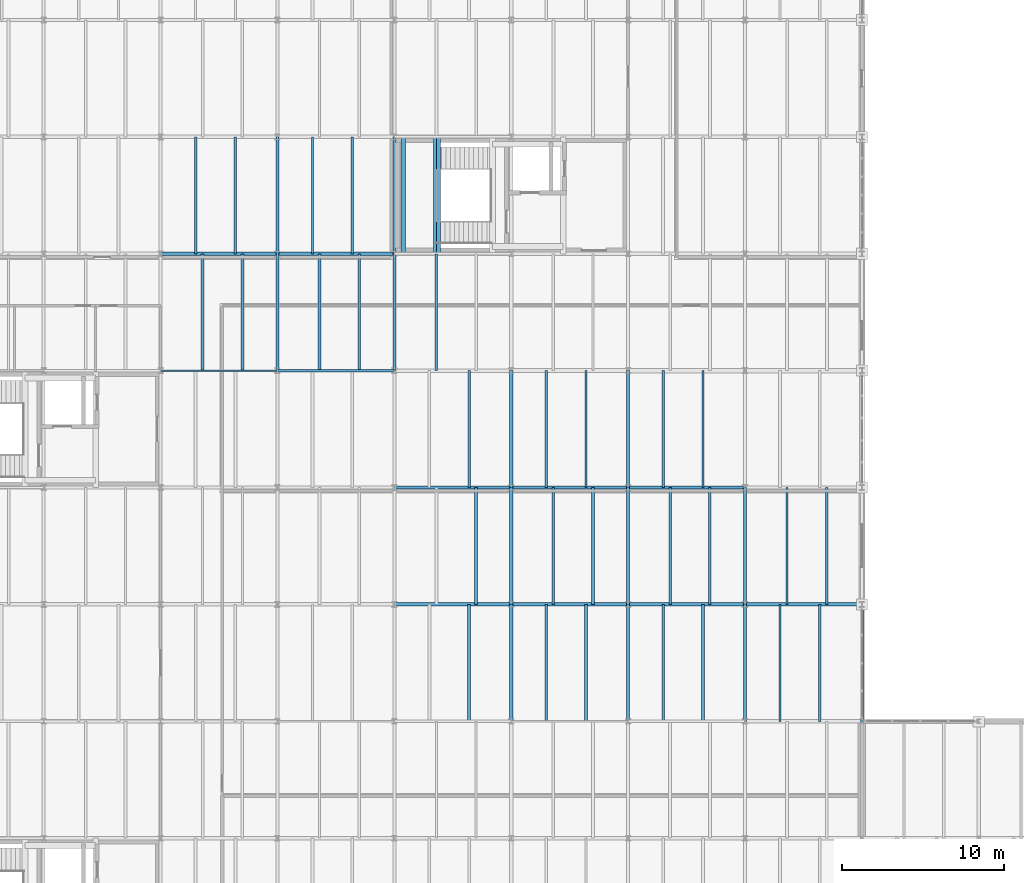
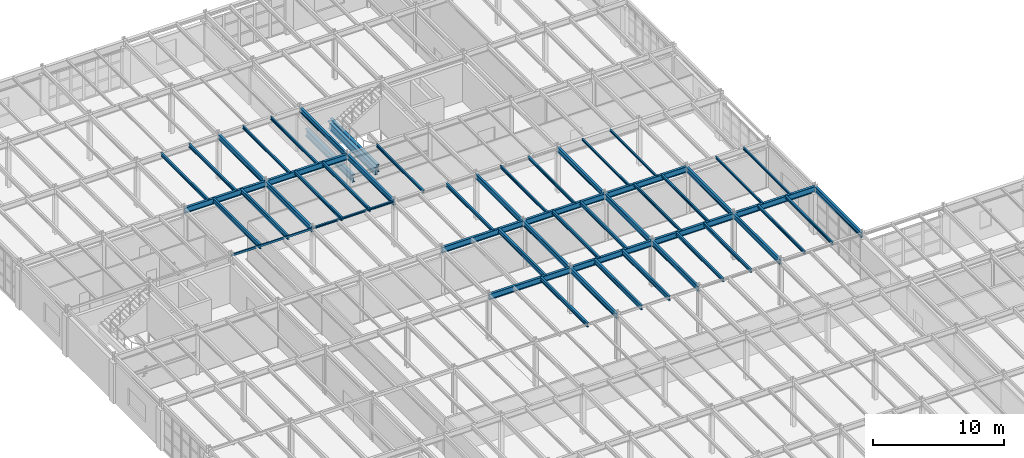
# One storey, part 35 of 137: 55 beams.
"""IFC4 building model written with IfcOpenShell, lengths in metres."""

from ifc_helpers import new_model, si_unit, direction, frame, origin, origin_2d, place, context, subcontext, project, spatial, hollow_rectangle, i_section, extrude, material, material_profile, profile_set, type_object, element, save


model = new_model("IFC4")

# Units and contexts
model_context = context("Model", 3, precision=1e-05, world=origin(), true_north=direction((0.0, 1.0)))
body_context = subcontext(model_context, "Body", "Model", "MODEL_VIEW")
ifc_project = project(units=[si_unit("LENGTHUNIT", "METRE"), si_unit("AREAUNIT", "SQUARE_METRE"), si_unit("VOLUMEUNIT", "CUBIC_METRE"), si_unit("PLANEANGLEUNIT", "RADIAN"), si_unit("MASSUNIT", "GRAM", prefix="KILO")], contexts=[model_context])

# Site, building, storey
site_placement = place(None, origin())
site = spatial("IfcSite", under=ifc_project, at=site_placement, CompositionType="ELEMENT")
building_placement = place(site_placement, origin())
building = spatial("IfcBuilding", under=site, at=building_placement, Name="Kemerveld Promenade Tramway Depot", CompositionType="ELEMENT")
storey_placement = place(building_placement, frame((0.0, 0.0, 5.39990234375)))
storey = spatial("IfcBuildingStorey", under=building, at=storey_placement, Name="L01", CompositionType="ELEMENT", Elevation=5.39990234375)

# Beams
ifc_material = material(Name="Steel S355", Category="steel")
ifc_material_profile_1 = material_profile(ifc_material, i_section(OverallWidth=0.25439453125, OverallDepth=0.6875, WebThickness=0.01318359375, FlangeThickness=0.02099609375, FilletRadius=0.01513671875, at=origin_2d()), Name="686x254x152 UB")
ifc_profile_set_1 = profile_set([ifc_material_profile_1], Name="Steel S355")
beam_type_1 = type_object("IfcBeamType", Name="BM-G03", PredefinedType="BEAM", material=ifc_profile_set_1)
for number, where, z_axis, x_axis, name in (
    (1, (29.35009765625, 57.60009765625, 1.726318359375), (0.0, 1.0, 0.0), (-1.0, 0.0, 0.0), "BM-HL-ST-03-L01-W"),
    (2, (31.330078125, 57.60009765625, 1.726318359375), (0.0, 1.0, 0.0), (-1.0, 0.0, 0.0), "BM-HL-ST-03-L01-M"),
    (3, (31.52001953125, 57.60009765625, 1.906494140625), (0.0, 1.0, 0.0), (-1.0, 0.0, 0.0), "BM-HL-ST-03-L01-F2"),
):
    element("IfcBeam", number, at=place(storey_placement, frame(where, z_axis=z_axis, x_axis=x_axis)), inside=storey, type_object=beam_type_1, Name=name, PredefinedType="BEAM", context=body_context, shape_type="SweptSolid", body=[
        extrude(i_section(OverallWidth=0.25439453125, OverallDepth=0.6875, WebThickness=0.01318359375, FlangeThickness=0.02099609375, FilletRadius=0.01513671875, at=origin_2d()), origin(), (0.0, 0.0, 1.0), 7.199951171875),
    ])
ifc_material_profile_2 = material_profile(ifc_material, i_section(OverallWidth=0.2099609375, OverallDepth=0.53662109375, WebThickness=0.0107421875, FlangeThickness=0.017333984375, FilletRadius=0.0126953125, at=origin_2d()), Name="533x210x101 UB")
ifc_profile_set_2 = profile_set([ifc_material_profile_2], Name="Steel S355")
beam_type_2 = type_object("IfcBeamType", Name="BM-G05", PredefinedType="BEAM", material=ifc_profile_set_2)
for number, where, z_axis, x_axis, name in (
    (4, (28.800048828125, 36.0, 3.99169921875), (1.0, 0.0, 0.0), (0.0, 1.0, 0.0), "BMX-L01-05-06-F"),
    (5, (36.0, 36.0, 3.99169921875), (1.0, 0.0, 0.0), (0.0, 1.0, 0.0), "BMX-L01-06-07-F"),
    (6, (43.199951171875, 36.0, 3.99169921875), (1.0, 0.0, 0.0), (0.0, 1.0, 0.0), "BMX-L01-07-08-F"),
):
    element("IfcBeam", number, at=place(storey_placement, frame(where, z_axis=z_axis, x_axis=x_axis)), inside=storey, type_object=beam_type_2, Name=name, PredefinedType="BEAM", context=body_context, shape_type="SweptSolid", body=[
        extrude(i_section(OverallWidth=0.2099609375, OverallDepth=0.53662109375, WebThickness=0.0107421875, FlangeThickness=0.017333984375, FilletRadius=0.0126953125, at=origin_2d()), origin(), (0.0, 0.0, 1.0), 7.199951171875),
    ])
beam_1_placement = place(storey_placement, frame((50.39990234375, 36.0, 3.99169921875), z_axis=(1.0, 0.0, 0.0), x_axis=(0.0, 1.0, 0.0)))
element("IfcBeam", 7, at=beam_1_placement, inside=storey, type_object=beam_type_2, Name="BMX-L01-08-09-F", PredefinedType="BEAM", context=body_context, shape_type="SweptSolid", body=[
    extrude(i_section(OverallWidth=0.2099609375, OverallDepth=0.53662109375, WebThickness=0.0107421875, FlangeThickness=0.017333984375, FilletRadius=0.0126953125, at=origin_2d()), origin(), (0.0, 0.0, 1.0), 7.2001953125),
])
for number, where, z_axis, x_axis, name in (
    (8, (28.800048828125, 43.199951171875, 3.99169921875), (1.0, 0.0, 0.0), (0.0, 1.0, 0.0), "BMX-L01-05-06-G"),
    (9, (36.0, 43.199951171875, 3.99169921875), (1.0, 0.0, 0.0), (0.0, 1.0, 0.0), "BMX-L01-06-07-G"),
    (10, (43.199951171875, 43.199951171875, 3.99169921875), (1.0, 0.0, 0.0), (0.0, 1.0, 0.0), "BMX-L01-07-08-G"),
):
    element("IfcBeam", number, at=place(storey_placement, frame(where, z_axis=z_axis, x_axis=x_axis)), inside=storey, type_object=beam_type_2, Name=name, PredefinedType="BEAM", context=body_context, shape_type="SweptSolid", body=[
        extrude(i_section(OverallWidth=0.2099609375, OverallDepth=0.53662109375, WebThickness=0.0107421875, FlangeThickness=0.017333984375, FilletRadius=0.0126953125, at=origin_2d()), origin(), (0.0, 0.0, 1.0), 7.199951171875),
    ])
beam_2_placement = place(storey_placement, frame((14.39990234375, 57.60009765625, 3.99169921875), z_axis=(1.0, 0.0, 0.0), x_axis=(0.0, 1.0, 0.0)))
element("IfcBeam", 11, at=beam_2_placement, inside=storey, type_object=beam_type_2, Name="BMX-L01-03-04-J", PredefinedType="BEAM", context=body_context, shape_type="SweptSolid", body=[
    extrude(i_section(OverallWidth=0.2099609375, OverallDepth=0.53662109375, WebThickness=0.0107421875, FlangeThickness=0.017333984375, FilletRadius=0.0126953125, at=origin_2d()), origin(), (0.0, 0.0, 1.0), 7.2001953125),
])
beam_3_placement = place(storey_placement, frame((21.60009765625, 57.60009765625, 3.99169921875), z_axis=(1.0, 0.0, 0.0), x_axis=(0.0, 1.0, 0.0)))
element("IfcBeam", 12, at=beam_3_placement, inside=storey, type_object=beam_type_2, Name="BMX-L01-04-05-J", PredefinedType="BEAM", context=body_context, shape_type="SweptSolid", body=[
    extrude(i_section(OverallWidth=0.2099609375, OverallDepth=0.53662109375, WebThickness=0.0107421875, FlangeThickness=0.017333984375, FilletRadius=0.0126953125, at=origin_2d()), origin(), (0.0, 0.0, 1.0), 7.199951171875),
])
ifc_material_profile_3 = material_profile(ifc_material, i_section(OverallWidth=0.19140625, OverallDepth=0.4599609375, WebThickness=0.010009765625, FlangeThickness=0.01611328125, FilletRadius=0.01025390625, at=origin_2d()), Name="457x191x82 UB")
ifc_profile_set_3 = profile_set([ifc_material_profile_3], Name="Steel S355")
beam_type_3 = type_object("IfcBeamType", Name="BM-G06", PredefinedType="BEAM", material=ifc_profile_set_3)
beam_4_placement = place(storey_placement, frame((21.60009765625, 50.39990234375, 4.030029296875), z_axis=(0.0, 1.0, 0.0), x_axis=(-1.0, 0.0, 0.0)))
element("IfcBeam", 13, at=beam_4_placement, inside=storey, type_object=beam_type_3, Name="BMY-L01-04-H-J", PredefinedType="BEAM", context=body_context, shape_type="SweptSolid", body=[
    extrude(i_section(OverallWidth=0.19140625, OverallDepth=0.4599609375, WebThickness=0.010009765625, FlangeThickness=0.01611328125, FilletRadius=0.01025390625, at=origin_2d()), origin(), (0.0, 0.0, 1.0), 7.2001953125),
])
beam_5_placement = place(storey_placement, frame((21.60009765625, 57.60009765625, 4.030029296875), z_axis=(0.0, 1.0, 0.0), x_axis=(-1.0, 0.0, 0.0)))
element("IfcBeam", 14, at=beam_5_placement, inside=storey, type_object=beam_type_3, Name="BMY-L01-04-J-K", PredefinedType="BEAM", context=body_context, shape_type="SweptSolid", body=[
    extrude(i_section(OverallWidth=0.19140625, OverallDepth=0.4599609375, WebThickness=0.010009765625, FlangeThickness=0.01611328125, FilletRadius=0.01025390625, at=origin_2d()), origin(), (0.0, 0.0, 1.0), 7.199951171875),
])
beam_6_placement = place(storey_placement, frame((28.800048828125, 50.39990234375, 4.030029296875), z_axis=(0.0, 1.0, 0.0), x_axis=(-1.0, 0.0, 0.0)))
element("IfcBeam", 15, at=beam_6_placement, inside=storey, type_object=beam_type_3, Name="BMY-L01-05-H-J", PredefinedType="BEAM", context=body_context, shape_type="SweptSolid", body=[
    extrude(i_section(OverallWidth=0.19140625, OverallDepth=0.4599609375, WebThickness=0.010009765625, FlangeThickness=0.01611328125, FilletRadius=0.01025390625, at=origin_2d()), origin(), (0.0, 0.0, 1.0), 7.2001953125),
])
for number, where, z_axis, x_axis, name in (
    (16, (28.800048828125, 57.60009765625, 4.030029296875), (0.0, 1.0, 0.0), (-1.0, 0.0, 0.0), "BMY-L01-05-J-K"),
    (17, (36.0, 28.800048828125, 4.030029296875), (0.0, 1.0, 0.0), (-1.0, 0.0, 0.0), "BMY-L01-06-E-F"),
    (18, (36.0, 36.0, 4.030029296875), (0.0, 1.0, 0.0), (-1.0, 0.0, 0.0), "BMY-L01-06-F-G"),
    (19, (36.0, 43.199951171875, 4.030029296875), (0.0, 1.0, 0.0), (-1.0, 0.0, 0.0), "BMY-L01-06-G-H"),
    (20, (43.199951171875, 28.800048828125, 4.030029296875), (0.0, 1.0, 0.0), (-1.0, 0.0, 0.0), "BMY-L01-07-E-F"),
    (21, (43.199951171875, 36.0, 4.030029296875), (0.0, 1.0, 0.0), (-1.0, 0.0, 0.0), "BMY-L01-07-F-G"),
    (22, (43.199951171875, 43.199951171875, 4.030029296875), (0.0, 1.0, 0.0), (-1.0, 0.0, 0.0), "BMY-L01-07-G-H"),
    (23, (50.39990234375, 28.800048828125, 4.030029296875), (0.0, 1.0, 0.0), (-1.0, 0.0, 0.0), "BMY-L01-08-E-F"),
    (24, (50.39990234375, 36.0, 4.030029296875), (0.0, 1.0, 0.0), (-1.0, 0.0, 0.0), "BMY-L01-08-F-G"),
    (25, (57.60009765625, 28.800048828125, 4.030029296875), (0.0, 1.0, 0.0), (-1.0, 0.0, 0.0), "BMY-L01-09-E-F"),
):
    element("IfcBeam", number, at=place(storey_placement, frame(where, z_axis=z_axis, x_axis=x_axis)), inside=storey, type_object=beam_type_3, Name=name, PredefinedType="BEAM", context=body_context, shape_type="SweptSolid", body=[
        extrude(i_section(OverallWidth=0.19140625, OverallDepth=0.4599609375, WebThickness=0.010009765625, FlangeThickness=0.01611328125, FilletRadius=0.01025390625, at=origin_2d()), origin(), (0.0, 0.0, 1.0), 7.199951171875),
    ])
ifc_material_profile_4 = material_profile(ifc_material, i_section(OverallWidth=0.165771484375, OverallDepth=0.306640625, WebThickness=0.006591796875, FlangeThickness=0.01171875, FilletRadius=0.0087890625, at=origin_2d()), Name="305x165x46 UB")
ifc_profile_set_4 = profile_set([ifc_material_profile_4], Name="Steel S355")
beam_type_4 = type_object("IfcBeamType", Name="BM-J01", PredefinedType="JOIST", material=ifc_profile_set_4)
for number, where, z_axis, x_axis, name in (
    (26, (16.56005859375, 57.60009765625, 4.106689453125), (0.0, 1.0, 0.0), (-1.0, 0.0, 0.0), "JST-L01-03-J-1"),
    (27, (19.008056640625, 57.60009765625, 4.106689453125), (0.0, 1.0, 0.0), (-1.0, 0.0, 0.0), "JST-L01-03-J-2"),
):
    element("IfcBeam", number, at=place(storey_placement, frame(where, z_axis=z_axis, x_axis=x_axis)), inside=storey, type_object=beam_type_4, Name=name, PredefinedType="JOIST", context=body_context, shape_type="SweptSolid", body=[
        extrude(i_section(OverallWidth=0.165771484375, OverallDepth=0.306640625, WebThickness=0.006591796875, FlangeThickness=0.01171875, FilletRadius=0.0087890625, at=origin_2d()), origin(), (0.0, 0.0, 1.0), 7.199951171875),
    ])
for number, where, z_axis, x_axis, name in (
    (28, (24.19189453125, 50.39990234375, 4.106689453125), (0.0, 1.0, 0.0), (-1.0, 0.0, 0.0), "JST-L01-04-H-1"),
    (29, (26.639892578125, 50.39990234375, 4.106689453125), (0.0, 1.0, 0.0), (-1.0, 0.0, 0.0), "JST-L01-04-H-2"),
):
    element("IfcBeam", number, at=place(storey_placement, frame(where, z_axis=z_axis, x_axis=x_axis)), inside=storey, type_object=beam_type_4, Name=name, PredefinedType="JOIST", context=body_context, shape_type="SweptSolid", body=[
        extrude(i_section(OverallWidth=0.165771484375, OverallDepth=0.306640625, WebThickness=0.006591796875, FlangeThickness=0.01171875, FilletRadius=0.0087890625, at=origin_2d()), origin(), (0.0, 0.0, 1.0), 7.2001953125),
    ])
for number, where, z_axis, x_axis, name in (
    (30, (33.407958984375, 43.199951171875, 4.106689453125), (0.0, 1.0, 0.0), (-1.0, 0.0, 0.0), "JST-L01-05-G-2"),
    (31, (38.592041015625, 36.0, 4.106689453125), (0.0, 1.0, 0.0), (-1.0, 0.0, 0.0), "JST-L01-06-F-1"),
    (32, (41.0400390625, 36.0, 4.106689453125), (0.0, 1.0, 0.0), (-1.0, 0.0, 0.0), "JST-L01-06-F-2"),
    (33, (45.360107421875, 28.800048828125, 4.106689453125), (0.0, 1.0, 0.0), (-1.0, 0.0, 0.0), "JST-L01-07-E-1"),
    (34, (47.80810546875, 28.800048828125, 4.106689453125), (0.0, 1.0, 0.0), (-1.0, 0.0, 0.0), "JST-L01-07-E-2"),
):
    element("IfcBeam", number, at=place(storey_placement, frame(where, z_axis=z_axis, x_axis=x_axis)), inside=storey, type_object=beam_type_4, Name=name, PredefinedType="JOIST", context=body_context, shape_type="SweptSolid", body=[
        extrude(i_section(OverallWidth=0.165771484375, OverallDepth=0.306640625, WebThickness=0.006591796875, FlangeThickness=0.01171875, FilletRadius=0.0087890625, at=origin_2d()), origin(), (0.0, 0.0, 1.0), 7.199951171875),
    ])
ifc_material_profile_5 = material_profile(ifc_material, i_section(OverallWidth=0.146484375, OverallDepth=0.256103515625, WebThickness=0.00634765625, FlangeThickness=0.010986328125, FilletRadius=0.007568359375, at=origin_2d()), Name="254x146x37 UB")
ifc_profile_set_5 = profile_set([ifc_material_profile_5], Name="Steel S355")
beam_type_5 = type_object("IfcBeamType", Name="BM-J02", PredefinedType="JOIST", material=ifc_profile_set_5)
for number, where, z_axis, x_axis, name in (
    (35, (23.760009765625, 57.60009765625, 4.132080078125), (0.0, 1.0, 0.0), (-1.0, 0.0, 0.0), "JST-L01-04-J-1"),
    (36, (26.2080078125, 57.60009765625, 4.132080078125), (0.0, 1.0, 0.0), (-1.0, 0.0, 0.0), "JST-L01-04-J-2"),
):
    element("IfcBeam", number, at=place(storey_placement, frame(where, z_axis=z_axis, x_axis=x_axis)), inside=storey, type_object=beam_type_5, Name=name, PredefinedType="JOIST", context=body_context, shape_type="SweptSolid", body=[
        extrude(i_section(OverallWidth=0.146484375, OverallDepth=0.256103515625, WebThickness=0.00634765625, FlangeThickness=0.010986328125, FilletRadius=0.007568359375, at=origin_2d()), origin(), (0.0, 0.0, 1.0), 7.199951171875),
    ])
beam_7_placement = place(storey_placement, frame((31.39208984375, 50.39990234375, 4.132080078125), z_axis=(0.0, 1.0, 0.0), x_axis=(-1.0, 0.0, 0.0)))
element("IfcBeam", 37, at=beam_7_placement, inside=storey, type_object=beam_type_5, Name="JST-L01-05-H-1", PredefinedType="JOIST", context=body_context, shape_type="SweptSolid", body=[
    extrude(i_section(OverallWidth=0.146484375, OverallDepth=0.256103515625, WebThickness=0.00634765625, FlangeThickness=0.010986328125, FilletRadius=0.007568359375, at=origin_2d()), origin(), (0.0, 0.0, 1.0), 7.2001953125),
])
for number, where, z_axis, x_axis, name in (
    (38, (38.159912109375, 43.199951171875, 4.132080078125), (0.0, 1.0, 0.0), (-1.0, 0.0, 0.0), "JST-L01-06-G-1"),
    (39, (40.60791015625, 43.199951171875, 4.132080078125), (0.0, 1.0, 0.0), (-1.0, 0.0, 0.0), "JST-L01-06-G-2"),
    (40, (45.7919921875, 36.0, 4.132080078125), (0.0, 1.0, 0.0), (-1.0, 0.0, 0.0), "JST-L01-07-F-1"),
    (41, (48.239990234375, 36.0, 4.132080078125), (0.0, 1.0, 0.0), (-1.0, 0.0, 0.0), "JST-L01-07-F-2"),
    (42, (52.56005859375, 28.800048828125, 4.132080078125), (0.0, 1.0, 0.0), (-1.0, 0.0, 0.0), "JST-L01-08-E-1"),
    (43, (55.008056640625, 28.800048828125, 4.132080078125), (0.0, 1.0, 0.0), (-1.0, 0.0, 0.0), "JST-L01-08-E-2"),
):
    element("IfcBeam", number, at=place(storey_placement, frame(where, z_axis=z_axis, x_axis=x_axis)), inside=storey, type_object=beam_type_5, Name=name, PredefinedType="JOIST", context=body_context, shape_type="SweptSolid", body=[
        extrude(i_section(OverallWidth=0.146484375, OverallDepth=0.256103515625, WebThickness=0.00634765625, FlangeThickness=0.010986328125, FilletRadius=0.007568359375, at=origin_2d()), origin(), (0.0, 0.0, 1.0), 7.199951171875),
    ])
ifc_material_profile_6 = material_profile(ifc_material, i_section(OverallWidth=0.13330078125, OverallDepth=0.203125, WebThickness=0.005615234375, FlangeThickness=0.0078125, FilletRadius=0.007568359375, at=origin_2d()), Name="203x133x25 UB")
ifc_profile_set_6 = profile_set([ifc_material_profile_6], Name="Steel S355")
beam_type_6 = type_object("IfcBeamType", Name="BM-J03", PredefinedType="JOIST", material=ifc_profile_set_6)
for number, where, z_axis, x_axis, name in (
    (44, (45.360107421875, 43.199951171875, 4.158447265625), (0.0, 1.0, 0.0), (-1.0, 0.0, 0.0), "JST-L01-07-G-1"),
    (45, (47.80810546875, 43.199951171875, 4.158447265625), (0.0, 1.0, 0.0), (-1.0, 0.0, 0.0), "JST-L01-07-G-2"),
    (46, (52.991943359375, 36.0, 4.158447265625), (0.0, 1.0, 0.0), (-1.0, 0.0, 0.0), "JST-L01-08-F-1"),
    (47, (55.43994140625, 36.0, 4.158447265625), (0.0, 1.0, 0.0), (-1.0, 0.0, 0.0), "JST-L01-08-F-2"),
):
    element("IfcBeam", number, at=place(storey_placement, frame(where, z_axis=z_axis, x_axis=x_axis)), inside=storey, type_object=beam_type_6, Name=name, PredefinedType="JOIST", context=body_context, shape_type="SweptSolid", body=[
        extrude(i_section(OverallWidth=0.13330078125, OverallDepth=0.203125, WebThickness=0.005615234375, FlangeThickness=0.0078125, FilletRadius=0.007568359375, at=origin_2d()), origin(), (0.0, 0.0, 1.0), 7.199951171875),
    ])
ifc_material_profile_7 = material_profile(ifc_material, i_section(OverallWidth=0.172119140625, OverallDepth=0.35791015625, WebThickness=0.008056640625, FlangeThickness=0.012939453125, FilletRadius=0.01025390625, at=origin_2d()), Name="356x171x57 UB")
ifc_profile_set_7 = profile_set([ifc_material_profile_7], Name="Steel S355")
beam_type_7 = type_object("IfcBeamType", Name="BM-J04", PredefinedType="JOIST", material=ifc_profile_set_7)
beam_8_placement = place(storey_placement, frame((33.407958984375, 28.800048828125, 4.0810546875), z_axis=(0.0, 1.0, 0.0), x_axis=(-1.0, 0.0, 0.0)))
element("IfcBeam", 48, at=beam_8_placement, inside=storey, type_object=beam_type_7, Name="JST-L01-05-E-2", PredefinedType="JOIST", context=body_context, shape_type="SweptSolid", body=[
    extrude(i_section(OverallWidth=0.172119140625, OverallDepth=0.35791015625, WebThickness=0.008056640625, FlangeThickness=0.012939453125, FilletRadius=0.01025390625, at=origin_2d()), origin(), (0.0, 0.0, 1.0), 7.199951171875),
])
ifc_material_profile_8 = material_profile(ifc_material, i_section(OverallWidth=0.1787109375, OverallDepth=0.409423828125, WebThickness=0.0087890625, FlangeThickness=0.014404296875, FilletRadius=0.01025390625, at=origin_2d()), Name="406x178x67 UB")
ifc_profile_set_8 = profile_set([ifc_material_profile_8], Name="Steel S355")
beam_type_8 = type_object("IfcBeamType", Name="BM-J05", PredefinedType="JOIST", material=ifc_profile_set_8)
for number, where, z_axis, x_axis, name in (
    (49, (16.991943359375, 50.39990234375, 4.055419921875), (0.0, 1.0, 0.0), (-1.0, 0.0, 0.0), "JST-L01-03-H-1"),
    (50, (19.43994140625, 50.39990234375, 4.055419921875), (0.0, 1.0, 0.0), (-1.0, 0.0, 0.0), "JST-L01-03-H-2"),
):
    element("IfcBeam", number, at=place(storey_placement, frame(where, z_axis=z_axis, x_axis=x_axis)), inside=storey, type_object=beam_type_8, Name=name, PredefinedType="JOIST", context=body_context, shape_type="SweptSolid", body=[
        extrude(i_section(OverallWidth=0.1787109375, OverallDepth=0.409423828125, WebThickness=0.0087890625, FlangeThickness=0.014404296875, FilletRadius=0.01025390625, at=origin_2d()), origin(), (0.0, 0.0, 1.0), 7.2001953125),
    ])
for number, where, z_axis, x_axis, name in (
    (51, (33.840087890625, 36.0, 4.055419921875), (0.0, 1.0, 0.0), (-1.0, 0.0, 0.0), "JST-L01-05-F-2"),
    (52, (38.159912109375, 28.800048828125, 4.055419921875), (0.0, 1.0, 0.0), (-1.0, 0.0, 0.0), "JST-L01-06-E-1"),
    (53, (40.60791015625, 28.800048828125, 4.055419921875), (0.0, 1.0, 0.0), (-1.0, 0.0, 0.0), "JST-L01-06-E-2"),
):
    element("IfcBeam", number, at=place(storey_placement, frame(where, z_axis=z_axis, x_axis=x_axis)), inside=storey, type_object=beam_type_8, Name=name, PredefinedType="JOIST", context=body_context, shape_type="SweptSolid", body=[
        extrude(i_section(OverallWidth=0.1787109375, OverallDepth=0.409423828125, WebThickness=0.0087890625, FlangeThickness=0.014404296875, FilletRadius=0.01025390625, at=origin_2d()), origin(), (0.0, 0.0, 1.0), 7.199951171875),
    ])
ifc_material_profile_9 = material_profile(ifc_material, hollow_rectangle(XDim=0.10009765625, YDim=0.199951171875, WallThickness=0.008056640625, InnerFilletRadius=0.00390625, OuterFilletRadius=0.011962890625, at=origin_2d()), Name="200x100x8.0 RHS")
ifc_profile_set_9 = profile_set([ifc_material_profile_9], Name="Steel S355")
beam_type_9 = type_object("IfcBeamType", Name="BM-LN1", PredefinedType="LINTEL", material=ifc_profile_set_9)
beam_9_placement = place(storey_placement, frame((14.39990234375, 50.39990234375, 4.16015625), z_axis=(1.0, 0.0, 0.0), x_axis=(0.0, 1.0, 0.0)))
element("IfcBeam", 54, at=beam_9_placement, inside=storey, type_object=beam_type_9, Name="BMX-L01-03-04-H", PredefinedType="LINTEL", context=body_context, shape_type="SweptSolid", body=[
    extrude(hollow_rectangle(XDim=0.10009765625, YDim=0.199951171875, WallThickness=0.008056640625, InnerFilletRadius=0.00390625, OuterFilletRadius=0.011962890625, at=origin_2d()), origin(), (0.0, 0.0, 1.0), 7.2001953125),
])
ifc_material_profile_10 = material_profile(ifc_material, i_section(OverallWidth=0.154296875, OverallDepth=0.161865234375, WebThickness=0.008056640625, FlangeThickness=0.011474609375, FilletRadius=0.007568359375, at=origin_2d()), Name="152x152x37 UC")
ifc_profile_set_10 = profile_set([ifc_material_profile_10], Name="Steel S355")
beam_type_10 = type_object("IfcBeamType", Name="BM-LN2", PredefinedType="LINTEL", material=ifc_profile_set_10)
beam_10_placement = place(storey_placement, frame((21.60009765625, 50.39990234375, 4.17919921875), z_axis=(1.0, 0.0, 0.0), x_axis=(0.0, 1.0, 0.0)))
element("IfcBeam", 55, at=beam_10_placement, inside=storey, type_object=beam_type_10, Name="BMX-L01-04-05-H", PredefinedType="LINTEL", context=body_context, shape_type="SweptSolid", body=[
    extrude(i_section(OverallWidth=0.154296875, OverallDepth=0.161865234375, WebThickness=0.008056640625, FlangeThickness=0.011474609375, FilletRadius=0.007568359375, at=origin_2d()), origin(), (0.0, 0.0, 1.0), 7.199951171875),
])

save(model, "model.ifc")
